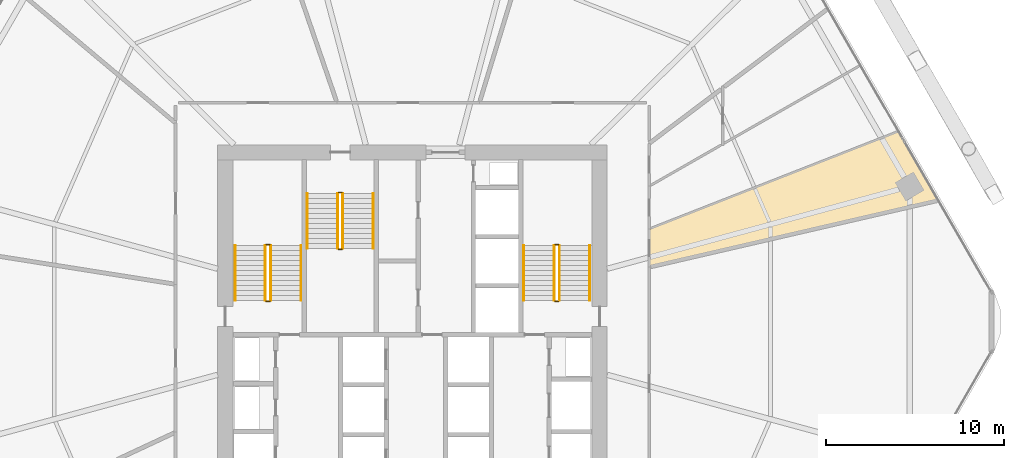
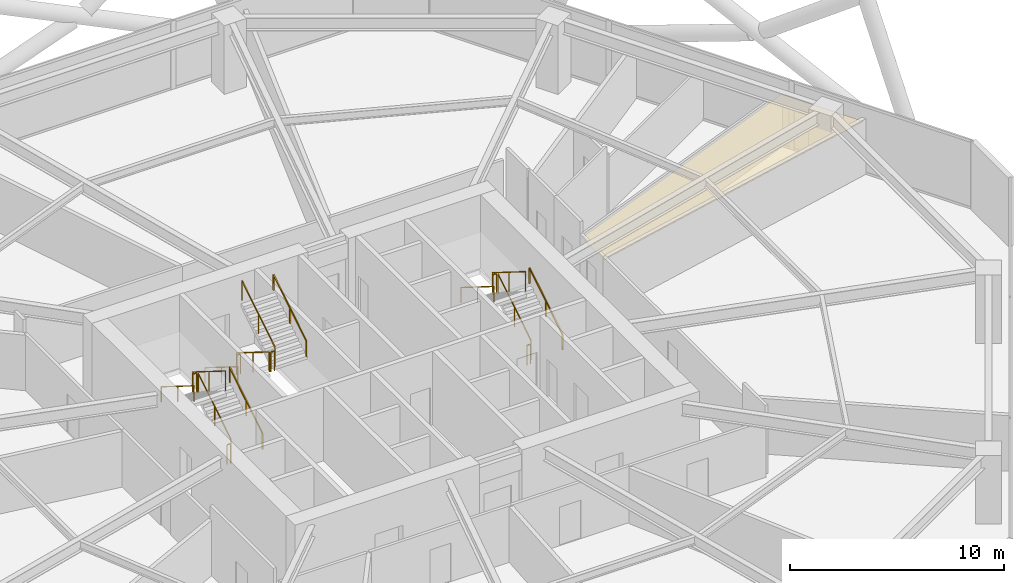
# One storey, part 29 of 29: 18 railings, 1 covering.
"""IFC4 building model written with IfcOpenShell, lengths in metres."""

import ifcopenshell
import ifcopenshell.guid

model = None  # the IFC model being written
_history = None  # IfcOwnerHistory: only IFC2X3 demands one
_inside = {}  # id of a spatial element -> (the spatial element, [elements in it])
_under = {}  # id of a project, library or spatial element -> (it, [spatial elements below it])
_declared = {}  # id of a project -> (the project, [libraries it declares])
_typed = {}  # id of a type object -> (the type object, [elements of that type])
_made_of = {}  # id of a material, layer set ... -> (it, [elements and type objects made of it])


def new_model(schema):
    """Start an empty IFC model of exactly this schema.

    Asked for "IFC4X3", IfcOpenShell would pick the latest addendum, in which some entities
    have other attributes; the version numbers below select the first issue.
    IFC2X3 requires an IfcOwnerHistory on every rooted entity: one is made here for all.
    """
    global model, _history
    if schema == "IFC4X3":
        model = ifcopenshell.file(schema_version=(4, 3, 0, 0))
    else:
        model = ifcopenshell.file(schema=schema)
    _inside.clear()
    _under.clear()
    _declared.clear()
    _typed.clear()
    _made_of.clear()
    _history = None
    if model.schema == "IFC2X3":
        org = make("IfcOrganization", Name="unknown")
        user = make(
            "IfcPersonAndOrganization",
            ThePerson=make("IfcPerson", FamilyName="unknown"),
            TheOrganization=org,
        )
        app = make(
            "IfcApplication",
            ApplicationDeveloper=org,
            Version="unknown",
            ApplicationFullName="unknown",
            ApplicationIdentifier="unknown",
        )
        _history = make(
            "IfcOwnerHistory",
            OwningUser=user,
            OwningApplication=app,
            ChangeAction="ADDED",
            CreationDate=0,
        )
    return model


def make(cls, **values):
    """One entity of the class cls with the attributes given. An attribute that is None is left unset."""
    return model.create_entity(
        cls, **{name: value for name, value in values.items() if value is not None}
    )


def rooted(cls, **values):
    """An entity with a GlobalId (a new one), such as an element, a storey or a relation."""
    return make(cls, GlobalId=ifcopenshell.guid.new(), OwnerHistory=_history, **values)


def si_unit(unit_type, name, prefix=None):
    """IfcSIUnit, for example si_unit("LENGTHUNIT", "METRE", prefix="MILLI")."""
    return make("IfcSIUnit", UnitType=unit_type, Prefix=prefix, Name=name)


def assignment(units):
    """IfcUnitAssignment: the units of a project."""
    return None if units is None else make("IfcUnitAssignment", Units=units)


def point(xyz):
    """IfcCartesianPoint."""
    return None if xyz is None else make("IfcCartesianPoint", Coordinates=xyz)


def direction(xyz):
    """IfcDirection."""
    return None if xyz is None else make("IfcDirection", DirectionRatios=xyz)


def frame(location, z_axis=None, x_axis=None):
    """IfcAxis2Placement3D, a coordinate frame: its origin and axes. An axis left out is left unset."""
    return make(
        "IfcAxis2Placement3D",
        Location=point(location),
        Axis=direction(z_axis),
        RefDirection=direction(x_axis),
    )


def frame_2d(location, x_axis=None):
    """IfcAxis2Placement2D, a coordinate frame in the plane: its origin and x axis."""
    return make(
        "IfcAxis2Placement2D", Location=point(location), RefDirection=direction(x_axis)
    )


def origin():
    """The frame at (0, 0, 0) with its axes left unset."""
    return frame((0.0, 0.0, 0.0))


def origin_2d():
    """The frame at (0, 0) in the plane with its x axis left unset."""
    return frame_2d((0.0, 0.0))


def place(relative_to, where):
    """IfcLocalPlacement: puts the frame where relative to a parent placement (None: the world)."""
    return make(
        "IfcLocalPlacement", PlacementRelTo=relative_to, RelativePlacement=where
    )


def context(
    kind, dimensions, precision=None, world=None, true_north=None, identifier=None
):
    """IfcGeometricRepresentationContext, for example the 3D "Model" context."""
    return make(
        "IfcGeometricRepresentationContext",
        ContextIdentifier=identifier,
        ContextType=kind,
        CoordinateSpaceDimension=dimensions,
        Precision=precision,
        WorldCoordinateSystem=world,
        TrueNorth=true_north,
    )


def subcontext(parent, identifier, kind, view, scale=None):
    """IfcGeometricRepresentationSubContext, for example "Body" below "Model"."""
    return make(
        "IfcGeometricRepresentationSubContext",
        ContextIdentifier=identifier,
        ContextType=kind,
        ParentContext=parent,
        TargetScale=scale,
        TargetView=view,
    )


def project(units=None, contexts=None):
    """IfcProject with its units and contexts."""
    return rooted(
        "IfcProject",
        Name="project",
        RepresentationContexts=contexts,
        UnitsInContext=assignment(units),
    )


def spatial(cls, under=None, at=None, **own):
    """A site, building, storey or space (cls), placed at a placement, below another one or the project."""
    s = rooted(cls, ObjectPlacement=at, **own)
    if under is not None:
        _under.setdefault(under.id(), (under, []))[1].append(s)
    return s


def polyline(points):
    """IfcPolyline through the points."""
    return make("IfcPolyline", Points=[point(p) for p in points])


def profile(cls, at=None, kind="AREA", **sizes):
    """A parametric profile (cls). Its sizes go by their IFC names, for example OverallWidth=200.0."""
    return make(cls, ProfileType=kind, Position=at, **sizes)


def rectangle(**sizes):
    """IfcRectangleProfileDef."""
    return profile("IfcRectangleProfileDef", **sizes)


def outline(outer, holes=None, kind="AREA"):
    """IfcArbitraryClosedProfileDef: a profile drawn as a closed curve; with holes, ...WithVoids."""
    if holes is None:
        return make("IfcArbitraryClosedProfileDef", ProfileType=kind, OuterCurve=outer)
    return make(
        "IfcArbitraryProfileDefWithVoids",
        ProfileType=kind,
        OuterCurve=outer,
        InnerCurves=holes,
    )


def extrude(swept, where, along, depth):
    """IfcExtrudedAreaSolid: the profile swept, set in the frame where, extruded along a direction by depth."""
    return make(
        "IfcExtrudedAreaSolid",
        SweptArea=swept,
        Position=where,
        ExtrudedDirection=direction(along),
        Depth=depth,
    )


def shape(context_of_items, identifier, shape_type, items):
    """IfcShapeRepresentation: the items that make up one representation, for example the "Body"."""
    return make(
        "IfcShapeRepresentation",
        ContextOfItems=context_of_items,
        RepresentationIdentifier=identifier,
        RepresentationType=shape_type,
        Items=items,
    )


def material(Name=None, Category=None):
    """IfcMaterial."""
    return make("IfcMaterial", Name=Name, Category=Category)


def layer(
    of_material, thickness, ventilated=None, Name=None, Category=None, Priority=None
):
    """IfcMaterialLayer: one layer of a wall or slab, of a material (None: an air gap)."""
    return make(
        "IfcMaterialLayer",
        Material=of_material,
        LayerThickness=thickness,
        IsVentilated=ventilated,
        Name=Name,
        Category=Category,
        Priority=Priority,
    )


def layer_set(layers, Name=None):
    """IfcMaterialLayerSet."""
    return make("IfcMaterialLayerSet", MaterialLayers=layers, LayerSetName=Name)


def made_of(thing, what):
    """Note that an element or type object is made of a material, layer set ...; save() writes the relation."""
    if what is not None:
        _made_of.setdefault(what.id(), (what, []))[1].append(thing)
    return thing


def type_object(cls, material=None, **own):
    """A type object (cls), such as IfcWallType, which elements share."""
    return made_of(rooted(cls, **own), material)


def element(
    cls,
    number,
    at=None,
    inside=None,
    cuts=None,
    type_object=None,
    material=None,
    context=None,
    identifier="Body",
    shape_type=None,
    held_by="IfcProductDefinitionShape",
    body=None,
    shapes=None,
    **own,
):
    """One element of the class cls, such as IfcWall. Its Tag is "e" and its number.

    at: its placement. inside: the storey or other place that contains it. cuts: it is an
    opening in that element (IfcRelVoidsElement). A single representation is given by context,
    identifier, shape_type and body (its items); several are given by shapes. held_by: the class
    of the entity that holds the representations. save() writes the other relations.
    """
    e = rooted(cls, Tag="e%d" % number, ObjectPlacement=at, **own)
    if body is not None:
        shapes = [shape(context, identifier, shape_type, body)]
    if shapes is not None:
        e.Representation = make(held_by, Representations=shapes)
    if inside is not None:
        _inside.setdefault(inside.id(), (inside, []))[1].append(e)
    if cuts is not None:
        rooted(
            "IfcRelVoidsElement", RelatingBuildingElement=cuts, RelatedOpeningElement=e
        )
    if type_object is not None:
        _typed.setdefault(type_object.id(), (type_object, []))[1].append(e)
    return made_of(e, material)


def aggregate(whole, parts):
    """IfcRelAggregates: a whole, such as a stair, and the parts it consists of."""
    return rooted("IfcRelAggregates", RelatingObject=whole, RelatedObjects=parts)


def save(model, path):
    """Write the relations noted so far, then the file.

    IfcRelAggregates (storeys below a building ...), IfcRelContainedInSpatialStructure (elements
    in a storey), IfcRelDefinesByType, IfcRelAssociatesMaterial and IfcRelDeclares: one each for
    every whole, place, type object, material and project.
    """
    for whole, parts in _under.values():
        aggregate(whole, parts)
    for where, things in _inside.values():
        rooted(
            "IfcRelContainedInSpatialStructure",
            RelatedElements=things,
            RelatingStructure=where,
        )
    for kind, things in _typed.values():
        rooted("IfcRelDefinesByType", RelatedObjects=things, RelatingType=kind)
    for what, things in _made_of.values():
        rooted("IfcRelAssociatesMaterial", RelatedObjects=things, RelatingMaterial=what)
    for by, libraries in _declared.values():
        rooted("IfcRelDeclares", RelatingContext=by, RelatedDefinitions=libraries)
    model.write(path)


model = new_model("IFC4")

# Units and contexts
model_context = context("Model", 3, precision=1e-05, world=origin(), true_north=direction((0.0, 1.0)))
body_context = subcontext(model_context, "Body", "Model", "MODEL_VIEW")
ifc_project = project(units=[si_unit("LENGTHUNIT", "METRE"), si_unit("AREAUNIT", "SQUARE_METRE"), si_unit("VOLUMEUNIT", "CUBIC_METRE"), si_unit("PLANEANGLEUNIT", "RADIAN"), si_unit("MASSUNIT", "GRAM", prefix="KILO")], contexts=[model_context])

# Site, building, storey
site_placement = place(None, origin())
site = spatial("IfcSite", under=ifc_project, at=site_placement, CompositionType="ELEMENT")
building_placement = place(site_placement, origin())
building = spatial("IfcBuilding", under=site, at=building_placement, Name="Zuhravey Tower", CompositionType="ELEMENT")
storey_placement = place(building_placement, frame((0.0, 0.0, 41.39990234375)))
storey = spatial("IfcBuildingStorey", under=building, at=storey_placement, Name="L10", CompositionType="ELEMENT", Elevation=41.39990234375)

# Covering
ifc_material_1 = material(Name="Moisture-resistant gypsum ceiling board")
ifc_layer = layer(ifc_material_1, 0.02001953125)
ifc_layer_set = layer_set([ifc_layer], Name="Moisture-resistant gypsum ceiling board")
covering_type = type_object("IfcCoveringType", Name="Moisture-Resistant Ceiling", PredefinedType="CEILING", material=ifc_layer_set)
covering_placement = place(storey_placement, frame((0.0, 0.0, 2.960205078125)))
element("IfcCovering", 1, at=covering_placement, inside=storey, type_object=covering_type, Name="L10 Wet-Room Ceiling CLG2", PredefinedType="CEILING", context=body_context, shape_type="SweptSolid", body=[
    extrude(outline(polyline([(49.304931640625, 37.192626953125), (63.240966796875, 42.654052734375), (65.454345703125, 38.820556640625), (49.304931640625, 35.09228515625), (49.304931640625, 37.192626953125)])), origin(), (0.0, 0.0, 1.0), 0.019775390625),
])

# Railings
ifc_material_2 = material(Name="Brushed stainless steel", Category="steel")
railing_type_1 = type_object("IfcRailingType", Name="Stair Wall Handrail 900", PredefinedType="HANDRAIL", material=ifc_material_2)
railing_1_placement = place(storey_placement, frame((29.75, 33.199951171875, 0.175048828125)))
element("IfcRailing", 2, at=railing_1_placement, inside=storey, type_object=railing_type_1, Name="L10 ST1 stair handrail 1", PredefinedType="HANDRAIL", context=body_context, shape_type="SweptSolid", body=[
    extrude(rectangle(XDim=0.048095703125, YDim=0.048095703125, at=origin_2d()), frame((0.0, 0.001708984375, 0.876953125), z_axis=(0.0, 0.847998304005, 0.529998940003), x_axis=(-1.0, 0.0, 0.0)), (0.0, 0.0, 1.0), 3.628173828125),
    extrude(rectangle(XDim=0.0419921875, YDim=0.0419921875, at=origin_2d()), origin(), (0.0, 0.0, 1.0), 0.849853515625),
    extrude(rectangle(XDim=0.0419921875, YDim=0.0419921875, at=origin_2d()), frame((0.0, 1.5400390625, 0.96240234375)), (0.0, 0.0, 1.0), 0.849853515625),
    extrude(rectangle(XDim=0.0419921875, YDim=0.0419921875, at=origin_2d()), frame((0.0, 3.080078125, 1.925048828125)), (0.0, 0.0, 1.0), 0.849853515625),
])
railing_2_placement = place(storey_placement, frame((26.050048828125, 36.280029296875, 2.275146484375)))
element("IfcRailing", 3, at=railing_2_placement, inside=storey, type_object=railing_type_1, Name="L10 ST1 stair handrail 2", PredefinedType="HANDRAIL", context=body_context, shape_type="SweptSolid", body=[
    extrude(rectangle(XDim=0.048095703125, YDim=0.048095703125, at=origin_2d()), frame((0.0, -0.001708984375, 0.876953125), z_axis=(0.0, -0.847998304005, 0.529998940003), x_axis=(1.0, 0.0, 0.0)), (0.0, 0.0, 1.0), 3.628173828125),
    extrude(rectangle(XDim=0.0419921875, YDim=0.0419921875, at=origin_2d()), origin(), (0.0, 0.0, 1.0), 0.849853515625),
    extrude(rectangle(XDim=0.0419921875, YDim=0.0419921875, at=origin_2d()), frame((0.0, -1.5400390625, 0.96240234375)), (0.0, 0.0, 1.0), 0.849853515625),
    extrude(rectangle(XDim=0.0419921875, YDim=0.0419921875, at=origin_2d()), frame((0.0, -3.080078125, 1.925048828125)), (0.0, 0.0, 1.0), 0.849853515625),
])
railing_3_placement = place(storey_placement, frame((45.949951171875, 33.199951171875, 0.175048828125)))
element("IfcRailing", 4, at=railing_3_placement, inside=storey, type_object=railing_type_1, Name="L10 ST2 stair handrail 1", PredefinedType="HANDRAIL", context=body_context, shape_type="SweptSolid", body=[
    extrude(rectangle(XDim=0.048095703125, YDim=0.048095703125, at=origin_2d()), frame((0.0, 0.001708984375, 0.876953125), z_axis=(0.0, 0.847998304005, 0.529998940003), x_axis=(-1.0, 0.0, 0.0)), (0.0, 0.0, 1.0), 3.628173828125),
    extrude(rectangle(XDim=0.0419921875, YDim=0.0419921875, at=origin_2d()), origin(), (0.0, 0.0, 1.0), 0.849853515625),
    extrude(rectangle(XDim=0.0419921875, YDim=0.0419921875, at=origin_2d()), frame((0.0, 1.5400390625, 0.96240234375)), (0.0, 0.0, 1.0), 0.849853515625),
    extrude(rectangle(XDim=0.0419921875, YDim=0.0419921875, at=origin_2d()), frame((0.0, 3.080078125, 1.925048828125)), (0.0, 0.0, 1.0), 0.849853515625),
])
railing_4_placement = place(storey_placement, frame((42.25, 36.280029296875, 2.275146484375)))
element("IfcRailing", 5, at=railing_4_placement, inside=storey, type_object=railing_type_1, Name="L10 ST2 stair handrail 2", PredefinedType="HANDRAIL", context=body_context, shape_type="SweptSolid", body=[
    extrude(rectangle(XDim=0.048095703125, YDim=0.048095703125, at=origin_2d()), frame((0.0, -0.001708984375, 0.876953125), z_axis=(0.0, -0.847998304005, 0.529998940003), x_axis=(1.0, 0.0, 0.0)), (0.0, 0.0, 1.0), 3.628173828125),
    extrude(rectangle(XDim=0.0419921875, YDim=0.0419921875, at=origin_2d()), origin(), (0.0, 0.0, 1.0), 0.849853515625),
    extrude(rectangle(XDim=0.0419921875, YDim=0.0419921875, at=origin_2d()), frame((0.0, -1.5400390625, 0.96240234375)), (0.0, 0.0, 1.0), 0.849853515625),
    extrude(rectangle(XDim=0.0419921875, YDim=0.0419921875, at=origin_2d()), frame((0.0, -3.080078125, 1.925048828125)), (0.0, 0.0, 1.0), 0.849853515625),
])
railing_5_placement = place(storey_placement, frame((30.10009765625, 39.199951171875, 0.175048828125)))
element("IfcRailing", 6, at=railing_5_placement, inside=storey, type_object=railing_type_1, Name="L10 ST3 stair handrail 1", PredefinedType="HANDRAIL", context=body_context, shape_type="SweptSolid", body=[
    extrude(rectangle(XDim=0.048095703125, YDim=0.048095703125, at=origin_2d()), frame((0.0, -0.001708984375, 0.876953125), z_axis=(0.0, -0.847979421464, 0.530029150871), x_axis=(1.0, 0.0, 0.0)), (0.0, 0.0, 1.0), 3.6279296875),
    extrude(rectangle(XDim=0.0419921875, YDim=0.0419921875, at=origin_2d()), origin(), (0.0, 0.0, 1.0), 0.849853515625),
    extrude(rectangle(XDim=0.0419921875, YDim=0.0419921875, at=origin_2d()), frame((0.0, -1.5400390625, 0.96240234375)), (0.0, 0.0, 1.0), 0.849853515625),
    extrude(rectangle(XDim=0.0419921875, YDim=0.0419921875, at=origin_2d()), frame((0.0, -3.079833984375, 1.925048828125)), (0.0, 0.0, 1.0), 0.849853515625),
])
railing_6_placement = place(storey_placement, frame((33.800048828125, 36.1201171875, 2.275146484375)))
element("IfcRailing", 7, at=railing_6_placement, inside=storey, type_object=railing_type_1, Name="L10 ST3 stair handrail 2", PredefinedType="HANDRAIL", context=body_context, shape_type="SweptSolid", body=[
    extrude(rectangle(XDim=0.048095703125, YDim=0.048095703125, at=origin_2d()), frame((0.0, 0.001708984375, 0.876953125), z_axis=(0.0, 0.847979421464, 0.530029150871), x_axis=(-1.0, 0.0, 0.0)), (0.0, 0.0, 1.0), 3.6279296875),
    extrude(rectangle(XDim=0.0419921875, YDim=0.0419921875, at=origin_2d()), origin(), (0.0, 0.0, 1.0), 0.849853515625),
    extrude(rectangle(XDim=0.0419921875, YDim=0.0419921875, at=origin_2d()), frame((0.0, 1.5400390625, 0.96240234375)), (0.0, 0.0, 1.0), 0.849853515625),
    extrude(rectangle(XDim=0.0419921875, YDim=0.0419921875, at=origin_2d()), frame((0.0, 3.079833984375, 1.925048828125)), (0.0, 0.0, 1.0), 0.849853515625),
])
ifc_material_3 = material(Name="Painted tubular steel", Category="steel")
railing_type_2 = type_object("IfcRailingType", Name="Stair Well Guardrail 1150", PredefinedType="GUARDRAIL", material=ifc_material_3)
railing_7_placement = place(storey_placement, frame((28.050048828125, 33.199951171875, 0.175048828125)))
element("IfcRailing", 8, at=railing_7_placement, inside=storey, type_object=railing_type_2, Name="L10 ST1 stair guard 1", PredefinedType="GUARDRAIL", context=body_context, shape_type="SweptSolid", body=[
    extrude(rectangle(XDim=0.048095703125, YDim=0.048095703125, at=origin_2d()), frame((0.0, 0.001708984375, 1.126953125), z_axis=(0.0, 0.847998304005, 0.529998940003), x_axis=(-1.0, 0.0, 0.0)), (0.0, 0.0, 1.0), 3.628173828125),
    extrude(rectangle(XDim=0.0419921875, YDim=0.0419921875, at=origin_2d()), origin(), (0.0, 0.0, 1.0), 1.099853515625),
    extrude(rectangle(XDim=0.0419921875, YDim=0.0419921875, at=origin_2d()), frame((0.0, 1.5400390625, 0.96240234375)), (0.0, 0.0, 1.0), 1.099853515625),
    extrude(rectangle(XDim=0.0419921875, YDim=0.0419921875, at=origin_2d()), frame((0.0, 3.080078125, 1.925048828125)), (0.0, 0.0, 1.0), 1.099853515625),
])
railing_8_placement = place(storey_placement, frame((28.0, 36.330078125, 2.10009765625)))
element("IfcRailing", 9, at=railing_8_placement, inside=storey, type_object=railing_type_2, Name="L10 ST1 stair guard 2", PredefinedType="GUARDRAIL", context=body_context, shape_type="SweptSolid", body=[
    extrude(rectangle(XDim=0.048095703125, YDim=0.048095703125, at=origin_2d()), frame((-0.001953125, 0.0, 1.1259765625), z_axis=(-1.0, 0.0, 0.0), x_axis=(0.0, -1.0, 0.0)), (0.0, 0.0, 1.0), 0.196044921875),
    extrude(rectangle(XDim=0.0419921875, YDim=0.0419921875, at=origin_2d()), origin(), (0.0, 0.0, 1.0), 1.099853515625),
    extrude(rectangle(XDim=0.0419921875, YDim=0.0419921875, at=origin_2d()), frame((-0.199951171875, 0.0, 0.0)), (0.0, 0.0, 1.0), 1.099853515625),
])
railing_9_placement = place(storey_placement, frame((27.75, 36.280029296875, 2.275146484375)))
element("IfcRailing", 10, at=railing_9_placement, inside=storey, type_object=railing_type_2, Name="L10 ST1 stair guard 3", PredefinedType="GUARDRAIL", context=body_context, shape_type="SweptSolid", body=[
    extrude(rectangle(XDim=0.048095703125, YDim=0.048095703125, at=origin_2d()), frame((0.0, -0.001708984375, 1.126953125), z_axis=(0.0, -0.847998304005, 0.529998940003), x_axis=(1.0, 0.0, 0.0)), (0.0, 0.0, 1.0), 3.628173828125),
    extrude(rectangle(XDim=0.0419921875, YDim=0.0419921875, at=origin_2d()), origin(), (0.0, 0.0, 1.0), 1.099853515625),
    extrude(rectangle(XDim=0.0419921875, YDim=0.0419921875, at=origin_2d()), frame((0.0, -1.5400390625, 0.96240234375)), (0.0, 0.0, 1.0), 1.099853515625),
    extrude(rectangle(XDim=0.0419921875, YDim=0.0419921875, at=origin_2d()), frame((0.0, -3.080078125, 1.925048828125)), (0.0, 0.0, 1.0), 1.099853515625),
])
railing_10_placement = place(storey_placement, frame((28.0, 33.14990234375, 0.0)))
element("IfcRailing", 11, at=railing_10_placement, inside=storey, type_object=railing_type_2, Name="L10 ST1 stair guard 4", PredefinedType="GUARDRAIL", context=body_context, shape_type="SweptSolid", body=[
    extrude(rectangle(XDim=0.048095703125, YDim=0.048095703125, at=origin_2d()), frame((-0.001953125, 0.0, 1.1259765625), z_axis=(-1.0, 0.0, 0.0), x_axis=(0.0, -1.0, 0.0)), (0.0, 0.0, 1.0), 0.196044921875),
    extrude(rectangle(XDim=0.0419921875, YDim=0.0419921875, at=origin_2d()), origin(), (0.0, 0.0, 1.0), 1.099853515625),
    extrude(rectangle(XDim=0.0419921875, YDim=0.0419921875, at=origin_2d()), frame((-0.199951171875, 0.0, 0.0)), (0.0, 0.0, 1.0), 1.099853515625),
])
railing_11_placement = place(storey_placement, frame((44.25, 33.199951171875, 0.175048828125)))
element("IfcRailing", 12, at=railing_11_placement, inside=storey, type_object=railing_type_2, Name="L10 ST2 stair guard 1", PredefinedType="GUARDRAIL", context=body_context, shape_type="SweptSolid", body=[
    extrude(rectangle(XDim=0.048095703125, YDim=0.048095703125, at=origin_2d()), frame((0.0, 0.001708984375, 1.126953125), z_axis=(0.0, 0.847998304005, 0.529998940003), x_axis=(-1.0, 0.0, 0.0)), (0.0, 0.0, 1.0), 3.628173828125),
    extrude(rectangle(XDim=0.0419921875, YDim=0.0419921875, at=origin_2d()), origin(), (0.0, 0.0, 1.0), 1.099853515625),
    extrude(rectangle(XDim=0.0419921875, YDim=0.0419921875, at=origin_2d()), frame((0.0, 1.5400390625, 0.96240234375)), (0.0, 0.0, 1.0), 1.099853515625),
    extrude(rectangle(XDim=0.0419921875, YDim=0.0419921875, at=origin_2d()), frame((0.0, 3.080078125, 1.925048828125)), (0.0, 0.0, 1.0), 1.099853515625),
])
railing_12_placement = place(storey_placement, frame((44.199951171875, 36.330078125, 2.10009765625)))
element("IfcRailing", 13, at=railing_12_placement, inside=storey, type_object=railing_type_2, Name="L10 ST2 stair guard 2", PredefinedType="GUARDRAIL", context=body_context, shape_type="SweptSolid", body=[
    extrude(rectangle(XDim=0.048095703125, YDim=0.048095703125, at=origin_2d()), frame((-0.001953125, 0.0, 1.1259765625), z_axis=(-1.0, 0.0, 0.0), x_axis=(0.0, -1.0, 0.0)), (0.0, 0.0, 1.0), 0.196044921875),
    extrude(rectangle(XDim=0.0419921875, YDim=0.0419921875, at=origin_2d()), origin(), (0.0, 0.0, 1.0), 1.099853515625),
    extrude(rectangle(XDim=0.0419921875, YDim=0.0419921875, at=origin_2d()), frame((-0.199951171875, 0.0, 0.0)), (0.0, 0.0, 1.0), 1.099853515625),
])
railing_13_placement = place(storey_placement, frame((43.949951171875, 36.280029296875, 2.275146484375)))
element("IfcRailing", 14, at=railing_13_placement, inside=storey, type_object=railing_type_2, Name="L10 ST2 stair guard 3", PredefinedType="GUARDRAIL", context=body_context, shape_type="SweptSolid", body=[
    extrude(rectangle(XDim=0.048095703125, YDim=0.048095703125, at=origin_2d()), frame((0.0, -0.001708984375, 1.126953125), z_axis=(0.0, -0.847998304005, 0.529998940003), x_axis=(1.0, 0.0, 0.0)), (0.0, 0.0, 1.0), 3.628173828125),
    extrude(rectangle(XDim=0.0419921875, YDim=0.0419921875, at=origin_2d()), origin(), (0.0, 0.0, 1.0), 1.099853515625),
    extrude(rectangle(XDim=0.0419921875, YDim=0.0419921875, at=origin_2d()), frame((0.0, -1.5400390625, 0.96240234375)), (0.0, 0.0, 1.0), 1.099853515625),
    extrude(rectangle(XDim=0.0419921875, YDim=0.0419921875, at=origin_2d()), frame((0.0, -3.080078125, 1.925048828125)), (0.0, 0.0, 1.0), 1.099853515625),
])
railing_14_placement = place(storey_placement, frame((44.199951171875, 33.14990234375, 0.0)))
element("IfcRailing", 15, at=railing_14_placement, inside=storey, type_object=railing_type_2, Name="L10 ST2 stair guard 4", PredefinedType="GUARDRAIL", context=body_context, shape_type="SweptSolid", body=[
    extrude(rectangle(XDim=0.048095703125, YDim=0.048095703125, at=origin_2d()), frame((-0.001953125, 0.0, 1.1259765625), z_axis=(-1.0, 0.0, 0.0), x_axis=(0.0, -1.0, 0.0)), (0.0, 0.0, 1.0), 0.196044921875),
    extrude(rectangle(XDim=0.0419921875, YDim=0.0419921875, at=origin_2d()), origin(), (0.0, 0.0, 1.0), 1.099853515625),
    extrude(rectangle(XDim=0.0419921875, YDim=0.0419921875, at=origin_2d()), frame((-0.199951171875, 0.0, 0.0)), (0.0, 0.0, 1.0), 1.099853515625),
])
railing_15_placement = place(storey_placement, frame((31.800048828125, 39.199951171875, 0.175048828125)))
element("IfcRailing", 16, at=railing_15_placement, inside=storey, type_object=railing_type_2, Name="L10 ST3 stair guard 1", PredefinedType="GUARDRAIL", context=body_context, shape_type="SweptSolid", body=[
    extrude(rectangle(XDim=0.048095703125, YDim=0.048095703125, at=origin_2d()), frame((0.0, -0.001708984375, 1.126953125), z_axis=(0.0, -0.847979421464, 0.530029150871), x_axis=(1.0, 0.0, 0.0)), (0.0, 0.0, 1.0), 3.6279296875),
    extrude(rectangle(XDim=0.0419921875, YDim=0.0419921875, at=origin_2d()), origin(), (0.0, 0.0, 1.0), 1.099853515625),
    extrude(rectangle(XDim=0.0419921875, YDim=0.0419921875, at=origin_2d()), frame((0.0, -1.5400390625, 0.96240234375)), (0.0, 0.0, 1.0), 1.099853515625),
    extrude(rectangle(XDim=0.0419921875, YDim=0.0419921875, at=origin_2d()), frame((0.0, -3.079833984375, 1.925048828125)), (0.0, 0.0, 1.0), 1.099853515625),
])
railing_16_placement = place(storey_placement, frame((31.85009765625, 36.070068359375, 2.10009765625)))
element("IfcRailing", 17, at=railing_16_placement, inside=storey, type_object=railing_type_2, Name="L10 ST3 stair guard 2", PredefinedType="GUARDRAIL", context=body_context, shape_type="SweptSolid", body=[
    extrude(rectangle(XDim=0.048095703125, YDim=0.048095703125, at=origin_2d()), frame((0.001953125, 0.0, 1.1259765625), z_axis=(1.0, 0.0, 0.0), x_axis=(0.0, 1.0, 0.0)), (0.0, 0.0, 1.0), 0.196044921875),
    extrude(rectangle(XDim=0.0419921875, YDim=0.0419921875, at=origin_2d()), origin(), (0.0, 0.0, 1.0), 1.099853515625),
    extrude(rectangle(XDim=0.0419921875, YDim=0.0419921875, at=origin_2d()), frame((0.199951171875, 0.0, 0.0)), (0.0, 0.0, 1.0), 1.099853515625),
])
railing_17_placement = place(storey_placement, frame((32.10009765625, 36.1201171875, 2.275146484375)))
element("IfcRailing", 18, at=railing_17_placement, inside=storey, type_object=railing_type_2, Name="L10 ST3 stair guard 3", PredefinedType="GUARDRAIL", context=body_context, shape_type="SweptSolid", body=[
    extrude(rectangle(XDim=0.048095703125, YDim=0.048095703125, at=origin_2d()), frame((0.0, 0.001708984375, 1.126953125), z_axis=(0.0, 0.847979421464, 0.530029150871), x_axis=(-1.0, 0.0, 0.0)), (0.0, 0.0, 1.0), 3.6279296875),
    extrude(rectangle(XDim=0.0419921875, YDim=0.0419921875, at=origin_2d()), origin(), (0.0, 0.0, 1.0), 1.099853515625),
    extrude(rectangle(XDim=0.0419921875, YDim=0.0419921875, at=origin_2d()), frame((0.0, 1.5400390625, 0.96240234375)), (0.0, 0.0, 1.0), 1.099853515625),
    extrude(rectangle(XDim=0.0419921875, YDim=0.0419921875, at=origin_2d()), frame((0.0, 3.079833984375, 1.925048828125)), (0.0, 0.0, 1.0), 1.099853515625),
])
railing_18_placement = place(storey_placement, frame((31.85009765625, 39.25, 0.0)))
element("IfcRailing", 19, at=railing_18_placement, inside=storey, type_object=railing_type_2, Name="L10 ST3 stair guard 4", PredefinedType="GUARDRAIL", context=body_context, shape_type="SweptSolid", body=[
    extrude(rectangle(XDim=0.048095703125, YDim=0.048095703125, at=origin_2d()), frame((0.001953125, 0.0, 1.1259765625), z_axis=(1.0, 0.0, 0.0), x_axis=(0.0, 1.0, 0.0)), (0.0, 0.0, 1.0), 0.196044921875),
    extrude(rectangle(XDim=0.0419921875, YDim=0.0419921875, at=origin_2d()), origin(), (0.0, 0.0, 1.0), 1.099853515625),
    extrude(rectangle(XDim=0.0419921875, YDim=0.0419921875, at=origin_2d()), frame((0.199951171875, 0.0, 0.0)), (0.0, 0.0, 1.0), 1.099853515625),
])

save(model, "model.ifc")
